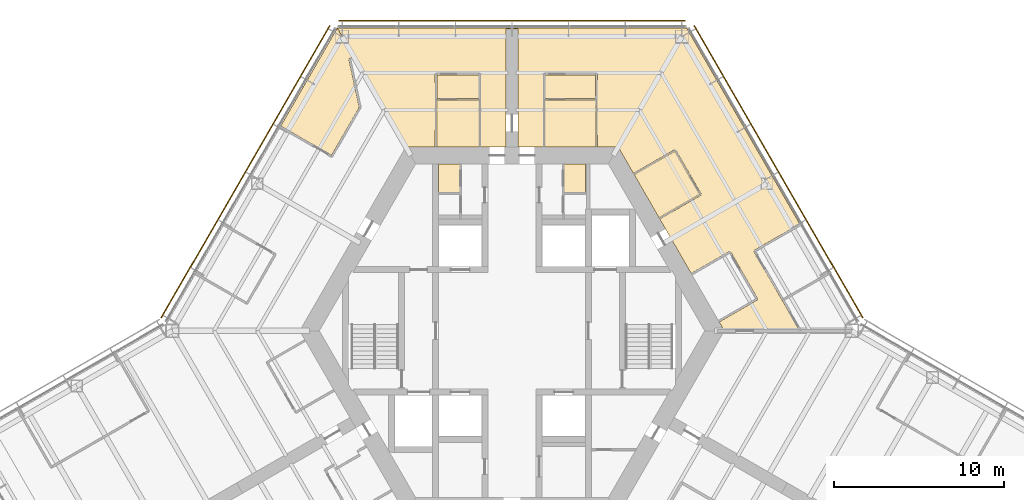
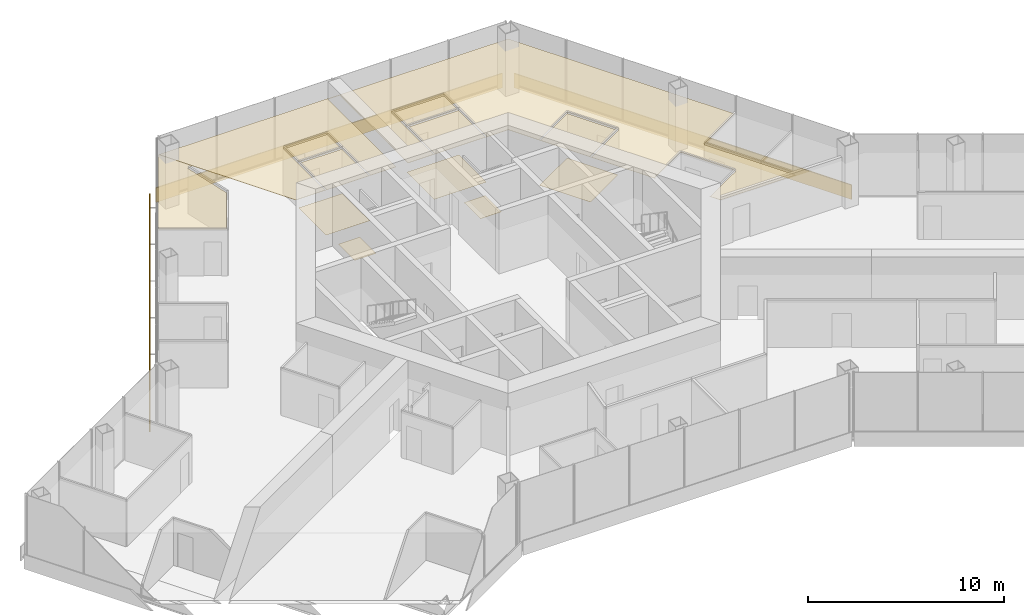
# One storey, part 18 of 18: 13 coverings, 3 shading devices.
"""IFC4 building model written with IfcOpenShell, lengths in metres."""

from ifc_helpers import new_model, si_unit, direction, frame, origin, origin_2d, place, context, subcontext, project, spatial, polyline, rectangle, outline, extrude, material, layer, layer_set, type_object, element, save


model = new_model("IFC4")

# Units and contexts
model_context = context("Model", 3, precision=1e-05, world=origin(), true_north=direction((0.0, 1.0)))
body_context = subcontext(model_context, "Body", "Model", "MODEL_VIEW")
ifc_project = project(units=[si_unit("LENGTHUNIT", "METRE"), si_unit("AREAUNIT", "SQUARE_METRE"), si_unit("VOLUMEUNIT", "CUBIC_METRE"), si_unit("PLANEANGLEUNIT", "RADIAN"), si_unit("MASSUNIT", "GRAM", prefix="KILO")], contexts=[model_context])

# Site, building, storey
site_placement = place(None, origin())
site = spatial("IfcSite", under=ifc_project, at=site_placement, CompositionType="ELEMENT")
building_placement = place(site_placement, origin())
building = spatial("IfcBuilding", under=site, at=building_placement, Name="Kasaneha Research Tower", CompositionType="ELEMENT")
storey_placement = place(building_placement, frame((0.0, 0.0, 172.10009765625)))
storey = spatial("IfcBuildingStorey", under=building, at=storey_placement, Name="L43", CompositionType="ELEMENT", Elevation=172.10009765625)

# Coverings
ifc_material_1 = material(Name="Gypsum ceiling board", Category="gypsum")
ifc_layer_1 = layer(ifc_material_1, 0.02001953125)
ifc_layer_set_1 = layer_set([ifc_layer_1], Name="Suspended ceiling 20")
covering_type_1 = type_object("IfcCoveringType", Name="Suspended ceiling 20", PredefinedType="CEILING", material=ifc_layer_set_1)
covering_1_placement = place(storey_placement, frame((0.0, 0.0, 2.7998046875)))
element("IfcCovering", 1, at=covering_1_placement, inside=storey, type_object=covering_type_1, Name="Ceiling L43-27", PredefinedType="CEILING", context=body_context, shape_type="SweptSolid", body=[
    extrude(outline(polyline([(1.89990234375, 10.824951171875), (1.89990234375, 10.844970703125), (1.949951171875, 10.844970703125), (1.95458984375, 13.570068359375), (4.91650390625, 13.570068359375), (4.9208984375, 10.844970703125), (4.970947265625, 10.844970703125), (4.970947265625, 10.824951171875), (1.89990234375, 10.824951171875)])), origin(), (0.0, 0.0, 1.0), 0.02001953125),
])
covering_2_placement = place(storey_placement, frame((0.0, 0.0, 2.7998046875)))
element("IfcCovering", 2, at=covering_2_placement, inside=storey, type_object=covering_type_1, Name="Ceiling L43-28", PredefinedType="CEILING", context=body_context, shape_type="SweptSolid", body=[
    extrude(outline(polyline([(4.91650390625, 13.669921875), (1.954345703125, 13.669921875), (1.9501953125, 15.074951171875), (4.9208984375, 15.074951171875), (4.91650390625, 13.669921875)])), origin(), (0.0, 0.0, 1.0), 0.02001953125),
])
covering_3_placement = place(storey_placement, frame((0.0, 0.0, 2.7998046875)))
element("IfcCovering", 3, at=covering_3_placement, inside=storey, type_object=covering_type_1, Name="Ceiling L43-29", PredefinedType="CEILING", context=body_context, shape_type="SweptSolid", body=[
    extrude(outline(polyline([(7.1748046875, 9.222900390625), (7.19189453125, 9.23291015625), (7.217041015625, 9.189697265625), (9.581298828125, 10.5546875), (11.03125, 8.043212890625), (8.6669921875, 6.67822265625), (8.69189453125, 6.635009765625), (8.6748046875, 6.625), (7.1748046875, 9.222900390625)])), origin(), (0.0, 0.0, 1.0), 0.02001953125),
])
covering_4_placement = place(storey_placement, frame((0.0, 0.0, 2.7998046875)))
element("IfcCovering", 4, at=covering_4_placement, inside=storey, type_object=covering_type_1, Name="Ceiling L43-33", PredefinedType="CEILING", context=body_context, shape_type="SweptSolid", body=[
    extrude(outline(polyline([(12.1923828125, 0.572265625), (12.217041015625, 0.529541015625), (14.451416015625, 1.819580078125), (14.426513671875, 1.86279296875), (14.4267578125, 1.863037109375), (14.4267578125, 1.863037109375), (14.4697265625, 1.8876953125), (12.86962890625, 4.658935546875), (12.82666015625, 4.63427734375), (12.82666015625, 4.634521484375), (12.826171875, 4.63427734375), (12.801513671875, 4.67724609375), (10.56689453125, 3.38720703125), (10.591796875, 3.344482421875), (10.574462890625, 3.33447265625), (8.675048828125, 6.62451171875), (8.692138671875, 6.634521484375), (8.717041015625, 6.591552734375), (11.12451171875, 7.981689453125), (11.099853515625, 8.024658203125), (11.10009765625, 8.02490234375), (11.099853515625, 8.025146484375), (11.142822265625, 8.0498046875), (9.642822265625, 10.64794921875), (9.60009765625, 10.623291015625), (9.599853515625, 10.623291015625), (9.599609375, 10.623046875), (9.57470703125, 10.666259765625), (7.1669921875, 9.2763671875), (7.191650390625, 9.2333984375), (7.174560546875, 9.223388671875), (6.249755859375, 10.824951171875), (4.971435546875, 10.824951171875), (4.971435546875, 10.844970703125), (5.02099609375, 10.844970703125), (5.016357421875, 13.625), (5.02099609375, 15.124755859375), (4.971435546875, 15.125), (4.971435546875, 15.12548828125), (4.970947265625, 15.12548828125), (4.970947265625, 15.175048828125), (1.89990234375, 15.175048828125), (1.89990234375, 15.125244140625), (1.899658203125, 15.125244140625), (1.899658203125, 15.125), (1.85009765625, 15.124755859375), (1.8544921875, 13.625), (1.85009765625, 10.844970703125), (1.8994140625, 10.844970703125), (1.8994140625, 10.824951171875), (0.35009765625, 10.824951171875), (0.35009765625, 11.72509765625), (0.35009765625, 12.72509765625), (0.35009765625, 17.7705078125), (0.35009765625, 17.7705078125), (0.0, 17.7705078125), (0.0, 17.820556640625), (10.28857421875, 17.820556640625), (16.94677734375, 6.28857421875), (14.261962890625, 4.738525390625), (14.286865234375, 4.6953125), (14.28662109375, 4.695068359375), (14.28662109375, 4.695068359375), (14.24365234375, 4.670166015625), (15.9130859375, 1.787841796875), (16.93994140625, 0.0), (12.49951171875, 0.0), (12.175048828125, 0.562255859375), (12.1923828125, 0.572265625)])), origin(), (0.0, 0.0, 1.0), 0.02001953125),
])
covering_5_placement = place(storey_placement, frame((0.0, 0.0, 2.7998046875)))
element("IfcCovering", 5, at=covering_5_placement, inside=storey, type_object=covering_type_1, Name="Ceiling L43-34", PredefinedType="CEILING", context=body_context, shape_type="SweptSolid", body=[
    extrude(outline(polyline([(-4.470947265625, 10.824951171875), (-4.470947265625, 10.844970703125), (-4.4208984375, 10.844970703125), (-4.41650390625, 13.570068359375), (-1.95458984375, 13.570068359375), (-1.949951171875, 10.844970703125), (-1.89990234375, 10.844970703125), (-1.89990234375, 10.824951171875), (-4.470947265625, 10.824951171875)])), origin(), (0.0, 0.0, 1.0), 0.02001953125),
])
covering_6_placement = place(storey_placement, frame((0.0, 0.0, 2.7998046875)))
element("IfcCovering", 6, at=covering_6_placement, inside=storey, type_object=covering_type_1, Name="Ceiling L43-35", PredefinedType="CEILING", context=body_context, shape_type="SweptSolid", body=[
    extrude(outline(polyline([(-1.9501953125, 15.074951171875), (-1.95458984375, 13.669921875), (-4.41650390625, 13.669921875), (-4.4208984375, 15.074951171875), (-1.9501953125, 15.074951171875)])), origin(), (0.0, 0.0, 1.0), 0.02001953125),
])
covering_7_placement = place(storey_placement, frame((0.0, 0.0, 2.7998046875)))
element("IfcCovering", 7, at=covering_7_placement, inside=storey, type_object=covering_type_1, Name="Ceiling L43-36", PredefinedType="CEILING", context=body_context, shape_type="SweptSolid", body=[
    extrude(outline(polyline([(-0.35009765625, 11.72509765625), (-0.35009765625, 10.824951171875), (-1.8994140625, 10.824951171875), (-1.8994140625, 10.844970703125), (-1.85009765625, 10.844970703125), (-1.854736328125, 13.625), (-1.85009765625, 15.124755859375), (-1.89990234375, 15.125), (-1.89990234375, 15.12548828125), (-1.89990234375, 15.175048828125), (-4.470947265625, 15.175048828125), (-4.470947265625, 15.125244140625), (-4.471435546875, 15.125244140625), (-4.471435546875, 15.125), (-4.52099609375, 15.124755859375), (-4.516357421875, 13.625), (-4.52099609375, 10.844970703125), (-4.471435546875, 10.844970703125), (-4.471435546875, 10.824951171875), (-6.249755859375, 10.824951171875), (-10.28857421875, 17.820556640625), (0.0, 17.820556640625), (0.0, 17.7705078125), (-0.35009765625, 17.7705078125), (-0.35009765625, 17.7705078125), (-0.35009765625, 12.72509765625), (-0.35009765625, 11.72509765625)])), origin(), (0.0, 0.0, 1.0), 0.02001953125),
])
covering_8_placement = place(storey_placement, frame((0.0, 0.0, 2.7998046875)))
element("IfcCovering", 8, at=covering_8_placement, inside=storey, type_object=covering_type_1, Name="Ceiling L43-37", PredefinedType="CEILING", context=body_context, shape_type="SweptSolid", body=[
    extrude(outline(polyline([(-6.249267578125, 10.824951171875), (-9.308837890625, 16.122314453125), (-9.56396484375, 16.02392578125), (-9.56396484375, 16.02392578125), (-9.61279296875, 16.013427734375), (-8.99609375, 13.15771484375), (-10.6279296875, 10.332763671875), (-13.598388671875, 12.0478515625), (-13.623291015625, 12.004638671875), (-13.640869140625, 12.0146484375), (-10.28857421875, 17.821044921875), (-6.249267578125, 10.824951171875)])), origin(), (0.0, 0.0, 1.0), 0.02001953125),
])

# Shading devices
ifc_material_2 = material(Name="Terracotta", Category="masonry")
ifc_layer_2 = layer(ifc_material_2, 0.06005859375)
ifc_layer_set_2 = layer_set([ifc_layer_2], Name="Terracotta baguette screen")
shading_device_type = type_object("IfcShadingDeviceType", Name="Terracotta baguette screen", PredefinedType="USERDEFINED", material=ifc_layer_set_2)
shading_device_1_placement = place(storey_placement, frame((15.696044921875, 9.35498046875, -0.449951171875), z_axis=(0.0, 0.0, 1.0), x_axis=(-0.499999979232, 0.866025415775, 0.0)))
element("IfcShadingDevice", 9, at=shading_device_1_placement, inside=storey, type_object=shading_device_type, Name="Baguette screen L43 06", ObjectType="TERRACOTTA BAGUETTE SCREEN", PredefinedType="USERDEFINED", context=body_context, shape_type="SweptSolid", body=[
    extrude(rectangle(XDim=19.8857421875, YDim=0.06005859375, at=origin_2d()), origin(), (0.0, 0.0, 1.0), 0.89990234375),
])
shading_device_2_placement = place(storey_placement, frame((0.0, 18.2705078125, -0.449951171875), z_axis=(0.0, 0.0, 1.0), x_axis=(-1.0, 0.0, 0.0)))
element("IfcShadingDevice", 10, at=shading_device_2_placement, inside=storey, type_object=shading_device_type, Name="Baguette screen L43 07", ObjectType="TERRACOTTA BAGUETTE SCREEN", PredefinedType="USERDEFINED", context=body_context, shape_type="SweptSolid", body=[
    extrude(rectangle(XDim=20.392822265625, YDim=0.06005859375, at=origin_2d()), origin(), (0.0, 0.0, 1.0), 0.89990234375),
])
shading_device_3_placement = place(storey_placement, frame((-15.696044921875, 9.35498046875, -0.449951171875), z_axis=(0.0, 0.0, 1.0), x_axis=(-0.499999979232, -0.866025415775, 0.0)))
element("IfcShadingDevice", 11, at=shading_device_3_placement, inside=storey, type_object=shading_device_type, Name="Baguette screen L43 08", ObjectType="TERRACOTTA BAGUETTE SCREEN", PredefinedType="USERDEFINED", context=body_context, shape_type="SweptSolid", body=[
    extrude(rectangle(XDim=19.8857421875, YDim=0.06005859375, at=origin_2d()), origin(), (0.0, 0.0, 1.0), 0.89990234375),
])

# Coverings
ifc_material_3 = material(Name="Vinyl sheet flooring", Category="plastic")
ifc_layer_3 = layer(ifc_material_3, 0.0048828125)
ifc_layer_set_3 = layer_set([ifc_layer_3], Name="Wet room sheet flooring 5")
covering_type_2 = type_object("IfcCoveringType", Name="Wet room sheet flooring 5", PredefinedType="FLOORING", material=ifc_layer_set_3)
covering_9_placement = place(storey_placement, origin())
element("IfcCovering", 12, at=covering_9_placement, inside=storey, type_object=covering_type_2, Name="Floor finish L43-07", PredefinedType="FLOORING", context=body_context, shape_type="SweptSolid", body=[
    extrude(outline(polyline([(-4.324951171875, 8.14990234375), (-4.324951171875, 9.824951171875), (-3.074951171875, 9.824951171875), (-3.074951171875, 8.14990234375), (-4.324951171875, 8.14990234375)])), origin(), (0.0, 0.0, 1.0), 0.0048828125),
])
covering_10_placement = place(storey_placement, origin())
element("IfcCovering", 13, at=covering_10_placement, inside=storey, type_object=covering_type_2, Name="Floor finish L43-10", PredefinedType="FLOORING", context=body_context, shape_type="SweptSolid", body=[
    extrude(outline(polyline([(4.324951171875, 8.14990234375), (3.074951171875, 8.14990234375), (3.074951171875, 9.824951171875), (4.324951171875, 9.824951171875), (4.324951171875, 8.14990234375)])), origin(), (0.0, 0.0, 1.0), 0.0048828125),
])
covering_11_placement = place(storey_placement, origin())
element("IfcCovering", 14, at=covering_11_placement, inside=storey, type_object=covering_type_2, Name="Floor finish L43-27", PredefinedType="FLOORING", context=body_context, shape_type="SweptSolid", body=[
    extrude(outline(polyline([(4.970947265625, 13.625), (4.970947265625, 10.824951171875), (1.89990234375, 10.824951171875), (1.89990234375, 13.625), (4.970947265625, 13.625)])), origin(), (0.0, 0.0, 1.0), 0.0048828125),
])
covering_12_placement = place(storey_placement, origin())
element("IfcCovering", 15, at=covering_12_placement, inside=storey, type_object=covering_type_2, Name="Floor finish L43-29", PredefinedType="FLOORING", context=body_context, shape_type="SweptSolid", body=[
    extrude(outline(polyline([(11.099609375, 8.02490234375), (8.6748046875, 6.625), (7.1748046875, 9.222900390625), (9.599609375, 10.623046875), (11.099609375, 8.02490234375)])), origin(), (0.0, 0.0, 1.0), 0.0048828125),
])
covering_13_placement = place(storey_placement, origin())
element("IfcCovering", 16, at=covering_13_placement, inside=storey, type_object=covering_type_2, Name="Floor finish L43-34", PredefinedType="FLOORING", context=body_context, shape_type="SweptSolid", body=[
    extrude(outline(polyline([(-1.89990234375, 13.625), (-1.89990234375, 10.824951171875), (-4.470947265625, 10.824951171875), (-4.470947265625, 13.625), (-1.89990234375, 13.625)])), origin(), (0.0, 0.0, 1.0), 0.0048828125),
])

save(model, "model.ifc")
